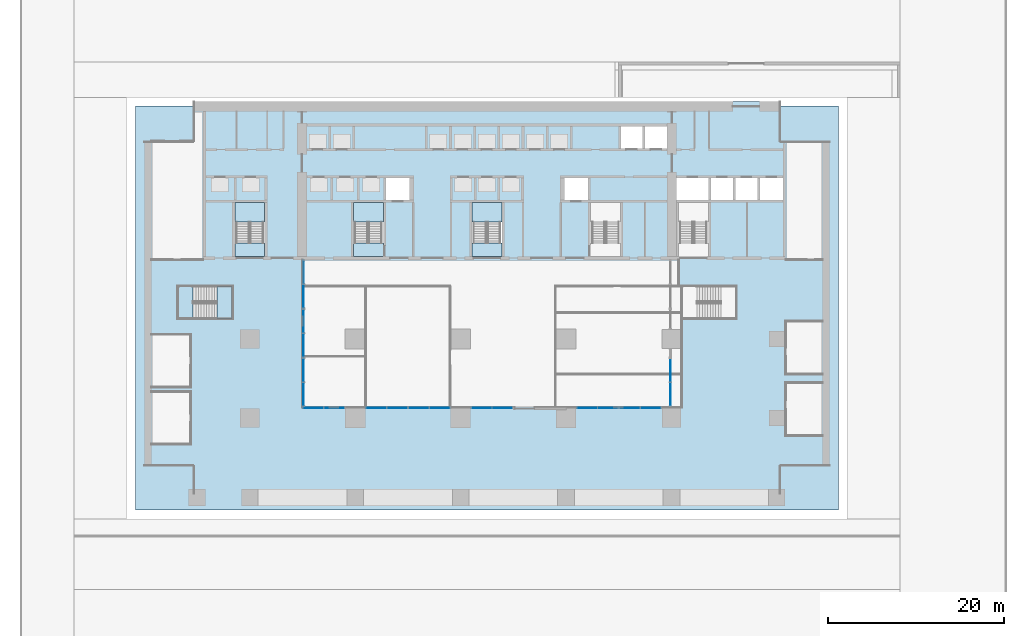
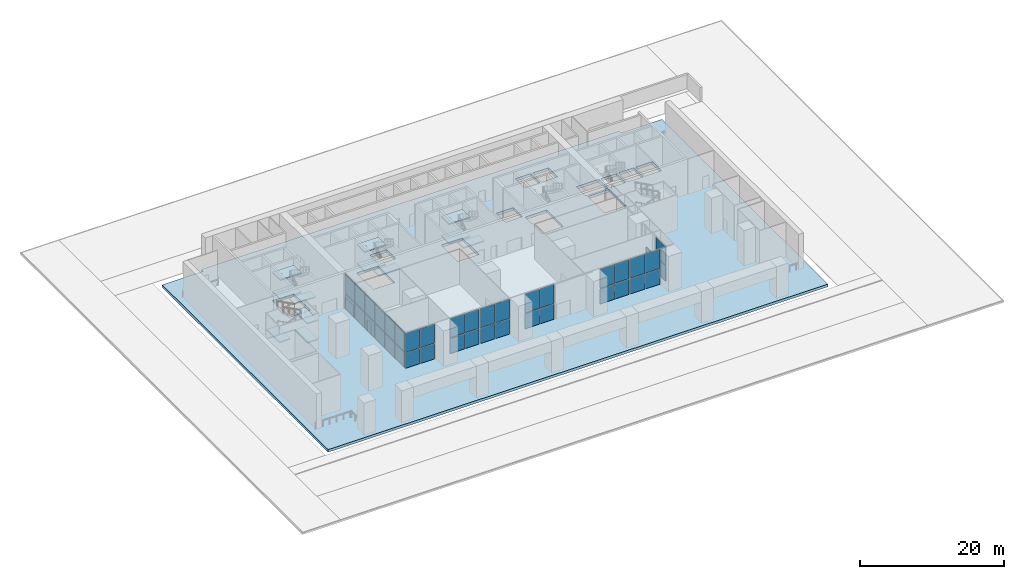
# One storey, part 4 of 16: 39 plates, 13 slabs, 14 elements without a shape of their own.
"""IFC4 building model written with IfcOpenShell, lengths in metres."""

from ifc_helpers import new_model, si_unit, direction, frame, origin, origin_2d, place, context, subcontext, project, spatial, polyline, rectangle, outline, extrude, material, layer, layer_set, type_object, element, aggregate, save


model = new_model("IFC4")

# Units and contexts
model_context = context("Model", 3, precision=1e-05, world=origin(), true_north=direction((0.0, 1.0)))
body_context = subcontext(model_context, "Body", "Model", "MODEL_VIEW")
ifc_project = project(units=[si_unit("LENGTHUNIT", "METRE"), si_unit("AREAUNIT", "SQUARE_METRE"), si_unit("VOLUMEUNIT", "CUBIC_METRE"), si_unit("PLANEANGLEUNIT", "RADIAN"), si_unit("MASSUNIT", "GRAM", prefix="KILO")], contexts=[model_context])

# Site, building, storey
site_placement = place(None, origin())
site = spatial("IfcSite", under=ifc_project, at=site_placement, CompositionType="ELEMENT")
building_placement = place(site_placement, origin())
building = spatial("IfcBuilding", under=site, at=building_placement, Name="Calvaro Tower", CompositionType="ELEMENT")
storey_placement = place(building_placement, origin())
storey = spatial("IfcBuildingStorey", under=building, at=storey_placement, Name="L00", CompositionType="ELEMENT", Elevation=0.0)

# Slab
ifc_material_1 = material(Name="Concrete C40/50", Category="concrete")
ifc_layer_1 = layer(ifc_material_1, 0.449951171875)
ifc_layer_set_1 = layer_set([ifc_layer_1], Name="Concrete C40/50")
slab_type_1 = type_object("IfcSlabType", Name="Floor slab 450 C40/50", PredefinedType="FLOOR", material=ifc_layer_set_1)
slab_1_placement = place(storey_placement, frame((0.0, 0.0, -0.449951171875)))
element("IfcSlab", 1, at=slab_1_placement, inside=storey, type_object=slab_type_1, Name="Floor slab", PredefinedType="FLOOR", context=body_context, shape_type="SweptSolid", body=[
    extrude(outline(polyline([(79.0, 45.5), (79.0, -0.5), (-1.0, -0.5), (-1.0, 45.5), (5.550048828125, 45.5), (5.550048828125, 46.0), (72.449951171875, 46.0), (72.449951171875, 45.5), (79.0, 45.5)]), holes=[polyline([(10.300048828125, 29.909912109375), (10.300048828125, 34.5), (12.0, 34.5), (13.699951171875, 34.5), (13.699951171875, 29.909912109375), (12.0, 29.909912109375), (10.300048828125, 29.909912109375)]), polyline([(23.800048828125, 29.909912109375), (23.800048828125, 34.5), (25.5, 34.5), (27.199951171875, 34.5), (27.199951171875, 29.909912109375), (25.5, 29.909912109375), (23.800048828125, 29.909912109375)]), polyline([(37.300048828125, 29.909912109375), (37.300048828125, 34.5), (39.0, 34.5), (40.699951171875, 34.5), (40.699951171875, 29.909912109375), (39.0, 29.909912109375), (37.300048828125, 29.909912109375)]), polyline([(50.800048828125, 29.909912109375), (50.800048828125, 34.5), (52.5, 34.5), (54.199951171875, 34.5), (54.199951171875, 29.909912109375), (52.5, 29.909912109375), (50.800048828125, 29.909912109375)]), polyline([(60.800048828125, 29.909912109375), (60.800048828125, 34.5), (62.5, 34.5), (64.199951171875, 34.5), (64.199951171875, 29.909912109375), (62.5, 29.909912109375), (60.800048828125, 29.909912109375)]), polyline([(54.25, 40.699951171875), (56.699951171875, 40.699951171875), (56.699951171875, 43.199951171875), (54.25, 43.199951171875), (54.25, 40.699951171875)]), polyline([(57.0, 40.699951171875), (59.5, 40.699951171875), (59.5, 43.199951171875), (57.0, 43.199951171875), (57.0, 40.699951171875)]), polyline([(60.60009765625, 34.800048828125), (64.199951171875, 34.800048828125), (64.199951171875, 37.300048828125), (60.60009765625, 37.300048828125), (60.60009765625, 34.800048828125)]), polyline([(64.5, 34.800048828125), (67.0, 34.800048828125), (67.0, 37.300048828125), (64.5, 37.300048828125), (64.5, 34.800048828125)]), polyline([(67.300048828125, 34.800048828125), (69.800048828125, 34.800048828125), (69.800048828125, 37.300048828125), (67.300048828125, 37.300048828125), (67.300048828125, 34.800048828125)]), polyline([(70.10009765625, 34.800048828125), (72.699951171875, 34.800048828125), (72.699951171875, 37.300048828125), (70.10009765625, 37.300048828125), (70.10009765625, 34.800048828125)]), polyline([(27.5, 34.800048828125), (30.199951171875, 34.800048828125), (30.199951171875, 37.300048828125), (27.5, 37.300048828125), (27.5, 34.800048828125)]), polyline([(47.800048828125, 34.800048828125), (50.5, 34.800048828125), (50.5, 37.300048828125), (47.800048828125, 37.300048828125), (47.800048828125, 34.800048828125)])]), origin(), (0.0, 0.0, 1.0), 0.449951171875),
])

# Curtain wall, plates
ifc_material_2 = material(Name="Anodised aluminium", Category="aluminium")
curtain_wall_type = type_object("IfcCurtainWallType", Name="Lobby pavilion glazing", PredefinedType="NOTDEFINED", material=ifc_material_2)
curtain_wall_1_placement = place(storey_placement, origin())
curtain_wall_1 = element("IfcCurtainWall", 2, at=curtain_wall_1_placement, inside=storey, type_object=curtain_wall_type, Name="CW7 lobby glazing", PredefinedType="NOTDEFINED")
ifc_material_3 = material(Name="Glass", Category="glass")
ifc_layer_2 = layer(ifc_material_3, 0.052001953125)
ifc_layer_set_2 = layer_set([ifc_layer_2], Name="Glass")
plate_type = type_object("IfcPlateType", Name="Glass panel LP 52", PredefinedType="CURTAIN_PANEL", material=ifc_layer_set_2)
plate_1_placement = place(storey_placement, frame((19.237548828125, 11.14990234375, 0.0), z_axis=(0.0, 0.0, 1.0), x_axis=(1.0, 0.0, 0.0)))
plate_1 = element("IfcPlate", 3, at=plate_1_placement, type_object=plate_type, Name="CW7 glass panel 1.1", PredefinedType="CURTAIN_PANEL", context=body_context, shape_type="SweptSolid", body=[
    extrude(rectangle(XDim=2.27490234375, YDim=0.052001953125, at=origin_2d()), origin(), (0.0, 0.0, 1.0), 2.530029296875),
])
plate_2_placement = place(storey_placement, frame((19.237548828125, 11.14990234375, 2.669921875), z_axis=(0.0, 0.0, 1.0), x_axis=(1.0, 0.0, 0.0)))
plate_2 = element("IfcPlate", 4, at=plate_2_placement, type_object=plate_type, Name="CW7 glass panel 1.2", PredefinedType="CURTAIN_PANEL", context=body_context, shape_type="SweptSolid", body=[
    extrude(rectangle(XDim=2.27490234375, YDim=0.052001953125, at=origin_2d()), origin(), (0.0, 0.0, 1.0), 3.18994140625),
])
plate_3_placement = place(storey_placement, frame((21.612548828125, 11.14990234375, 0.0), z_axis=(0.0, 0.0, 1.0), x_axis=(1.0, 0.0, 0.0)))
plate_3 = element("IfcPlate", 5, at=plate_3_placement, type_object=plate_type, Name="CW7 glass panel 2.1", PredefinedType="CURTAIN_PANEL", context=body_context, shape_type="SweptSolid", body=[
    extrude(rectangle(XDim=2.27490234375, YDim=0.052001953125, at=origin_2d()), origin(), (0.0, 0.0, 1.0), 2.530029296875),
])
plate_4_placement = place(storey_placement, frame((21.612548828125, 11.14990234375, 2.669921875), z_axis=(0.0, 0.0, 1.0), x_axis=(1.0, 0.0, 0.0)))
plate_4 = element("IfcPlate", 6, at=plate_4_placement, type_object=plate_type, Name="CW7 glass panel 2.2", PredefinedType="CURTAIN_PANEL", context=body_context, shape_type="SweptSolid", body=[
    extrude(rectangle(XDim=2.27490234375, YDim=0.052001953125, at=origin_2d()), origin(), (0.0, 0.0, 1.0), 3.18994140625),
])
aggregate(curtain_wall_1, [plate_1, plate_2, plate_3, plate_4])

curtain_wall_2_placement = place(storey_placement, origin())
curtain_wall_2 = element("IfcCurtainWall", 7, at=curtain_wall_2_placement, inside=storey, type_object=curtain_wall_type, Name="CW7 lobby glazing", PredefinedType="NOTDEFINED")
plate_5_placement = place(storey_placement, frame((26.387451171875, 11.14990234375, 0.0), z_axis=(0.0, 0.0, 1.0), x_axis=(1.0, 0.0, 0.0)))
plate_5 = element("IfcPlate", 8, at=plate_5_placement, type_object=plate_type, Name="CW7 glass panel 1.1", PredefinedType="CURTAIN_PANEL", context=body_context, shape_type="SweptSolid", body=[
    extrude(rectangle(XDim=2.27490234375, YDim=0.052001953125, at=origin_2d()), origin(), (0.0, 0.0, 1.0), 2.530029296875),
])
plate_6_placement = place(storey_placement, frame((26.387451171875, 11.14990234375, 2.669921875), z_axis=(0.0, 0.0, 1.0), x_axis=(1.0, 0.0, 0.0)))
plate_6 = element("IfcPlate", 9, at=plate_6_placement, type_object=plate_type, Name="CW7 glass panel 1.2", PredefinedType="CURTAIN_PANEL", context=body_context, shape_type="SweptSolid", body=[
    extrude(rectangle(XDim=2.27490234375, YDim=0.052001953125, at=origin_2d()), origin(), (0.0, 0.0, 1.0), 3.18994140625),
])
plate_7_placement = place(storey_placement, frame((28.762451171875, 11.14990234375, 0.0), z_axis=(0.0, 0.0, 1.0), x_axis=(1.0, 0.0, 0.0)))
plate_7 = element("IfcPlate", 10, at=plate_7_placement, type_object=plate_type, Name="CW7 glass panel 2.1", PredefinedType="CURTAIN_PANEL", context=body_context, shape_type="SweptSolid", body=[
    extrude(rectangle(XDim=2.27490234375, YDim=0.052001953125, at=origin_2d()), origin(), (0.0, 0.0, 1.0), 2.530029296875),
])
plate_8_placement = place(storey_placement, frame((28.762451171875, 11.14990234375, 2.669921875), z_axis=(0.0, 0.0, 1.0), x_axis=(1.0, 0.0, 0.0)))
plate_8 = element("IfcPlate", 11, at=plate_8_placement, type_object=plate_type, Name="CW7 glass panel 2.2", PredefinedType="CURTAIN_PANEL", context=body_context, shape_type="SweptSolid", body=[
    extrude(rectangle(XDim=2.27490234375, YDim=0.052001953125, at=origin_2d()), origin(), (0.0, 0.0, 1.0), 3.18994140625),
])
aggregate(curtain_wall_2, [plate_5, plate_6, plate_7, plate_8])

curtain_wall_3_placement = place(storey_placement, origin())
curtain_wall_3 = element("IfcCurtainWall", 12, at=curtain_wall_3_placement, inside=storey, type_object=curtain_wall_type, Name="CW7 lobby glazing", PredefinedType="NOTDEFINED")
plate_9_placement = place(storey_placement, frame((31.237548828125, 11.14990234375, 0.0), z_axis=(0.0, 0.0, 1.0), x_axis=(1.0, 0.0, 0.0)))
plate_9 = element("IfcPlate", 13, at=plate_9_placement, type_object=plate_type, Name="CW7 glass panel 1.1", PredefinedType="CURTAIN_PANEL", context=body_context, shape_type="SweptSolid", body=[
    extrude(rectangle(XDim=2.27490234375, YDim=0.052001953125, at=origin_2d()), origin(), (0.0, 0.0, 1.0), 2.530029296875),
])
plate_10_placement = place(storey_placement, frame((31.237548828125, 11.14990234375, 2.669921875), z_axis=(0.0, 0.0, 1.0), x_axis=(1.0, 0.0, 0.0)))
plate_10 = element("IfcPlate", 14, at=plate_10_placement, type_object=plate_type, Name="CW7 glass panel 1.2", PredefinedType="CURTAIN_PANEL", context=body_context, shape_type="SweptSolid", body=[
    extrude(rectangle(XDim=2.27490234375, YDim=0.052001953125, at=origin_2d()), origin(), (0.0, 0.0, 1.0), 3.18994140625),
])
plate_11_placement = place(storey_placement, frame((33.612548828125, 11.14990234375, 0.0), z_axis=(0.0, 0.0, 1.0), x_axis=(1.0, 0.0, 0.0)))
plate_11 = element("IfcPlate", 15, at=plate_11_placement, type_object=plate_type, Name="CW7 glass panel 2.1", PredefinedType="CURTAIN_PANEL", context=body_context, shape_type="SweptSolid", body=[
    extrude(rectangle(XDim=2.27490234375, YDim=0.052001953125, at=origin_2d()), origin(), (0.0, 0.0, 1.0), 2.530029296875),
])
plate_12_placement = place(storey_placement, frame((33.612548828125, 11.14990234375, 2.669921875), z_axis=(0.0, 0.0, 1.0), x_axis=(1.0, 0.0, 0.0)))
plate_12 = element("IfcPlate", 16, at=plate_12_placement, type_object=plate_type, Name="CW7 glass panel 2.2", PredefinedType="CURTAIN_PANEL", context=body_context, shape_type="SweptSolid", body=[
    extrude(rectangle(XDim=2.27490234375, YDim=0.052001953125, at=origin_2d()), origin(), (0.0, 0.0, 1.0), 3.18994140625),
])
aggregate(curtain_wall_3, [plate_9, plate_10, plate_11, plate_12])

curtain_wall_4_placement = place(storey_placement, origin())
curtain_wall_4 = element("IfcCurtainWall", 17, at=curtain_wall_4_placement, inside=storey, type_object=curtain_wall_type, Name="CW7 lobby glazing", PredefinedType="NOTDEFINED")
plate_13_placement = place(storey_placement, frame((38.387451171875, 11.14990234375, 0.0), z_axis=(0.0, 0.0, 1.0), x_axis=(1.0, 0.0, 0.0)))
plate_13 = element("IfcPlate", 18, at=plate_13_placement, type_object=plate_type, Name="CW7 glass panel 1.1", PredefinedType="CURTAIN_PANEL", context=body_context, shape_type="SweptSolid", body=[
    extrude(rectangle(XDim=2.27490234375, YDim=0.052001953125, at=origin_2d()), origin(), (0.0, 0.0, 1.0), 2.530029296875),
])
plate_14_placement = place(storey_placement, frame((38.387451171875, 11.14990234375, 2.669921875), z_axis=(0.0, 0.0, 1.0), x_axis=(1.0, 0.0, 0.0)))
plate_14 = element("IfcPlate", 19, at=plate_14_placement, type_object=plate_type, Name="CW7 glass panel 1.2", PredefinedType="CURTAIN_PANEL", context=body_context, shape_type="SweptSolid", body=[
    extrude(rectangle(XDim=2.27490234375, YDim=0.052001953125, at=origin_2d()), origin(), (0.0, 0.0, 1.0), 3.18994140625),
])
plate_15_placement = place(storey_placement, frame((40.762451171875, 11.14990234375, 0.0), z_axis=(0.0, 0.0, 1.0), x_axis=(1.0, 0.0, 0.0)))
plate_15 = element("IfcPlate", 20, at=plate_15_placement, type_object=plate_type, Name="CW7 glass panel 2.1", PredefinedType="CURTAIN_PANEL", context=body_context, shape_type="SweptSolid", body=[
    extrude(rectangle(XDim=2.27490234375, YDim=0.052001953125, at=origin_2d()), origin(), (0.0, 0.0, 1.0), 2.530029296875),
])
plate_16_placement = place(storey_placement, frame((40.762451171875, 11.14990234375, 2.669921875), z_axis=(0.0, 0.0, 1.0), x_axis=(1.0, 0.0, 0.0)))
plate_16 = element("IfcPlate", 21, at=plate_16_placement, type_object=plate_type, Name="CW7 glass panel 2.2", PredefinedType="CURTAIN_PANEL", context=body_context, shape_type="SweptSolid", body=[
    extrude(rectangle(XDim=2.27490234375, YDim=0.052001953125, at=origin_2d()), origin(), (0.0, 0.0, 1.0), 3.18994140625),
])
aggregate(curtain_wall_4, [plate_13, plate_14, plate_15, plate_16])

curtain_wall_5_placement = place(storey_placement, origin())
curtain_wall_5 = element("IfcCurtainWall", 22, at=curtain_wall_5_placement, inside=storey, type_object=curtain_wall_type, Name="CW7 lobby glazing", PredefinedType="NOTDEFINED")
plate_17_placement = place(storey_placement, frame((50.387451171875, 11.14990234375, 0.0), z_axis=(0.0, 0.0, 1.0), x_axis=(1.0, 0.0, 0.0)))
plate_17 = element("IfcPlate", 23, at=plate_17_placement, type_object=plate_type, Name="CW7 glass panel 1.1", PredefinedType="CURTAIN_PANEL", context=body_context, shape_type="SweptSolid", body=[
    extrude(rectangle(XDim=2.27490234375, YDim=0.052001953125, at=origin_2d()), origin(), (0.0, 0.0, 1.0), 2.530029296875),
])
plate_18_placement = place(storey_placement, frame((50.387451171875, 11.14990234375, 2.669921875), z_axis=(0.0, 0.0, 1.0), x_axis=(1.0, 0.0, 0.0)))
plate_18 = element("IfcPlate", 24, at=plate_18_placement, type_object=plate_type, Name="CW7 glass panel 1.2", PredefinedType="CURTAIN_PANEL", context=body_context, shape_type="SweptSolid", body=[
    extrude(rectangle(XDim=2.27490234375, YDim=0.052001953125, at=origin_2d()), origin(), (0.0, 0.0, 1.0), 3.18994140625),
])
plate_19_placement = place(storey_placement, frame((52.762451171875, 11.14990234375, 0.0), z_axis=(0.0, 0.0, 1.0), x_axis=(1.0, 0.0, 0.0)))
plate_19 = element("IfcPlate", 25, at=plate_19_placement, type_object=plate_type, Name="CW7 glass panel 2.1", PredefinedType="CURTAIN_PANEL", context=body_context, shape_type="SweptSolid", body=[
    extrude(rectangle(XDim=2.27490234375, YDim=0.052001953125, at=origin_2d()), origin(), (0.0, 0.0, 1.0), 2.530029296875),
])
plate_20_placement = place(storey_placement, frame((52.762451171875, 11.14990234375, 2.669921875), z_axis=(0.0, 0.0, 1.0), x_axis=(1.0, 0.0, 0.0)))
plate_20 = element("IfcPlate", 26, at=plate_20_placement, type_object=plate_type, Name="CW7 glass panel 2.2", PredefinedType="CURTAIN_PANEL", context=body_context, shape_type="SweptSolid", body=[
    extrude(rectangle(XDim=2.27490234375, YDim=0.052001953125, at=origin_2d()), origin(), (0.0, 0.0, 1.0), 3.18994140625),
])
aggregate(curtain_wall_5, [plate_17, plate_18, plate_19, plate_20])

curtain_wall_6_placement = place(storey_placement, origin())
curtain_wall_6 = element("IfcCurtainWall", 27, at=curtain_wall_6_placement, inside=storey, type_object=curtain_wall_type, Name="CW7 lobby glazing", PredefinedType="NOTDEFINED")
plate_21_placement = place(storey_placement, frame((55.25, 11.14990234375, 0.0), z_axis=(0.0, 0.0, 1.0), x_axis=(1.0, 0.0, 0.0)))
plate_21 = element("IfcPlate", 28, at=plate_21_placement, type_object=plate_type, Name="CW7 glass panel 1.1", PredefinedType="CURTAIN_PANEL", context=body_context, shape_type="SweptSolid", body=[
    extrude(rectangle(XDim=2.300048828125, YDim=0.052001953125, at=origin_2d()), origin(), (0.0, 0.0, 1.0), 2.530029296875),
])
plate_22_placement = place(storey_placement, frame((55.25, 11.14990234375, 2.669921875), z_axis=(0.0, 0.0, 1.0), x_axis=(1.0, 0.0, 0.0)))
plate_22 = element("IfcPlate", 29, at=plate_22_placement, type_object=plate_type, Name="CW7 glass panel 1.2", PredefinedType="CURTAIN_PANEL", context=body_context, shape_type="SweptSolid", body=[
    extrude(rectangle(XDim=2.300048828125, YDim=0.052001953125, at=origin_2d()), origin(), (0.0, 0.0, 1.0), 3.18994140625),
])
plate_23_placement = place(storey_placement, frame((57.64990234375, 11.14990234375, 0.0), z_axis=(0.0, 0.0, 1.0), x_axis=(1.0, 0.0, 0.0)))
plate_23 = element("IfcPlate", 30, at=plate_23_placement, type_object=plate_type, Name="CW7 glass panel 2.1", PredefinedType="CURTAIN_PANEL", context=body_context, shape_type="SweptSolid", body=[
    extrude(rectangle(XDim=2.300048828125, YDim=0.052001953125, at=origin_2d()), origin(), (0.0, 0.0, 1.0), 2.530029296875),
])
plate_24_placement = place(storey_placement, frame((57.64990234375, 11.14990234375, 2.669921875), z_axis=(0.0, 0.0, 1.0), x_axis=(1.0, 0.0, 0.0)))
plate_24 = element("IfcPlate", 31, at=plate_24_placement, type_object=plate_type, Name="CW7 glass panel 2.2", PredefinedType="CURTAIN_PANEL", context=body_context, shape_type="SweptSolid", body=[
    extrude(rectangle(XDim=2.300048828125, YDim=0.052001953125, at=origin_2d()), origin(), (0.0, 0.0, 1.0), 3.18994140625),
])
aggregate(curtain_wall_6, [plate_21, plate_22, plate_23, plate_24])

curtain_wall_7_placement = place(storey_placement, origin())
curtain_wall_7 = element("IfcCurtainWall", 32, at=curtain_wall_7_placement, inside=storey, type_object=curtain_wall_type, Name="CW7 lobby glazing", PredefinedType="NOTDEFINED")
plate_25_placement = place(storey_placement, frame((18.125, 12.69384765625, 0.0), z_axis=(0.0, 0.0, 1.0), x_axis=(0.0, 1.0, 0.0)))
plate_25 = element("IfcPlate", 33, at=plate_25_placement, type_object=plate_type, Name="CW7 glass panel 1.1", PredefinedType="CURTAIN_PANEL", context=body_context, shape_type="SweptSolid", body=[
    extrude(rectangle(XDim=2.637451171875, YDim=0.052001953125, at=origin_2d()), origin(), (0.0, 0.0, 1.0), 2.530029296875),
])
plate_26_placement = place(storey_placement, frame((18.125, 12.69384765625, 2.669921875), z_axis=(0.0, 0.0, 1.0), x_axis=(0.0, 1.0, 0.0)))
plate_26 = element("IfcPlate", 34, at=plate_26_placement, type_object=plate_type, Name="CW7 glass panel 1.2", PredefinedType="CURTAIN_PANEL", context=body_context, shape_type="SweptSolid", body=[
    extrude(rectangle(XDim=2.637451171875, YDim=0.052001953125, at=origin_2d()), origin(), (0.0, 0.0, 1.0), 3.18994140625),
])
plate_27_placement = place(storey_placement, frame((18.125, 15.43115234375, 0.0), z_axis=(0.0, 0.0, 1.0), x_axis=(0.0, 1.0, 0.0)))
plate_27 = element("IfcPlate", 35, at=plate_27_placement, type_object=plate_type, Name="CW7 glass panel 2.1", PredefinedType="CURTAIN_PANEL", context=body_context, shape_type="SweptSolid", body=[
    extrude(rectangle(XDim=2.637451171875, YDim=0.052001953125, at=origin_2d()), origin(), (0.0, 0.0, 1.0), 2.530029296875),
])
plate_28_placement = place(storey_placement, frame((18.125, 15.43115234375, 2.669921875), z_axis=(0.0, 0.0, 1.0), x_axis=(0.0, 1.0, 0.0)))
plate_28 = element("IfcPlate", 36, at=plate_28_placement, type_object=plate_type, Name="CW7 glass panel 2.2", PredefinedType="CURTAIN_PANEL", context=body_context, shape_type="SweptSolid", body=[
    extrude(rectangle(XDim=2.637451171875, YDim=0.052001953125, at=origin_2d()), origin(), (0.0, 0.0, 1.0), 3.18994140625),
])
aggregate(curtain_wall_7, [plate_25, plate_26, plate_27, plate_28])

curtain_wall_8_placement = place(storey_placement, origin())
curtain_wall_8 = element("IfcCurtainWall", 37, at=curtain_wall_8_placement, inside=storey, type_object=curtain_wall_type, Name="CW7 lobby glazing", PredefinedType="NOTDEFINED")
plate_29_placement = place(storey_placement, frame((18.125, 18.268798828125, 0.0), z_axis=(0.0, 0.0, 1.0), x_axis=(0.0, 1.0, 0.0)))
plate_29 = element("IfcPlate", 38, at=plate_29_placement, type_object=plate_type, Name="CW7 glass panel 1.1", PredefinedType="CURTAIN_PANEL", context=body_context, shape_type="SweptSolid", body=[
    extrude(rectangle(XDim=2.637451171875, YDim=0.052001953125, at=origin_2d()), origin(), (0.0, 0.0, 1.0), 2.530029296875),
])
plate_30_placement = place(storey_placement, frame((18.125, 18.268798828125, 2.669921875), z_axis=(0.0, 0.0, 1.0), x_axis=(0.0, 1.0, 0.0)))
plate_30 = element("IfcPlate", 39, at=plate_30_placement, type_object=plate_type, Name="CW7 glass panel 1.2", PredefinedType="CURTAIN_PANEL", context=body_context, shape_type="SweptSolid", body=[
    extrude(rectangle(XDim=2.637451171875, YDim=0.052001953125, at=origin_2d()), origin(), (0.0, 0.0, 1.0), 3.18994140625),
])
plate_31_placement = place(storey_placement, frame((18.125, 21.00634765625, 0.0), z_axis=(0.0, 0.0, 1.0), x_axis=(0.0, 1.0, 0.0)))
plate_31 = element("IfcPlate", 40, at=plate_31_placement, type_object=plate_type, Name="CW7 glass panel 2.1", PredefinedType="CURTAIN_PANEL", context=body_context, shape_type="SweptSolid", body=[
    extrude(rectangle(XDim=2.637451171875, YDim=0.052001953125, at=origin_2d()), origin(), (0.0, 0.0, 1.0), 2.530029296875),
])
plate_32_placement = place(storey_placement, frame((18.125, 21.00634765625, 2.669921875), z_axis=(0.0, 0.0, 1.0), x_axis=(0.0, 1.0, 0.0)))
plate_32 = element("IfcPlate", 41, at=plate_32_placement, type_object=plate_type, Name="CW7 glass panel 2.2", PredefinedType="CURTAIN_PANEL", context=body_context, shape_type="SweptSolid", body=[
    extrude(rectangle(XDim=2.637451171875, YDim=0.052001953125, at=origin_2d()), origin(), (0.0, 0.0, 1.0), 3.18994140625),
])
aggregate(curtain_wall_8, [plate_29, plate_30, plate_31, plate_32])

curtain_wall_9_placement = place(storey_placement, origin())
curtain_wall_9 = element("IfcCurtainWall", 42, at=curtain_wall_9_placement, inside=storey, type_object=curtain_wall_type, Name="CW7 lobby glazing", PredefinedType="NOTDEFINED")
plate_33_placement = place(storey_placement, frame((18.125, 23.84375, 0.0), z_axis=(0.0, 0.0, 1.0), x_axis=(0.0, 1.0, 0.0)))
plate_33 = element("IfcPlate", 43, at=plate_33_placement, type_object=plate_type, Name="CW7 glass panel 1.1", PredefinedType="CURTAIN_PANEL", context=body_context, shape_type="SweptSolid", body=[
    extrude(rectangle(XDim=2.637451171875, YDim=0.052001953125, at=origin_2d()), origin(), (0.0, 0.0, 1.0), 2.530029296875),
])
plate_34_placement = place(storey_placement, frame((18.125, 23.84375, 2.669921875), z_axis=(0.0, 0.0, 1.0), x_axis=(0.0, 1.0, 0.0)))
plate_34 = element("IfcPlate", 44, at=plate_34_placement, type_object=plate_type, Name="CW7 glass panel 1.2", PredefinedType="CURTAIN_PANEL", context=body_context, shape_type="SweptSolid", body=[
    extrude(rectangle(XDim=2.637451171875, YDim=0.052001953125, at=origin_2d()), origin(), (0.0, 0.0, 1.0), 3.18994140625),
])
plate_35_placement = place(storey_placement, frame((18.125, 26.581298828125, 0.0), z_axis=(0.0, 0.0, 1.0), x_axis=(0.0, 1.0, 0.0)))
plate_35 = element("IfcPlate", 45, at=plate_35_placement, type_object=plate_type, Name="CW7 glass panel 2.1", PredefinedType="CURTAIN_PANEL", context=body_context, shape_type="SweptSolid", body=[
    extrude(rectangle(XDim=2.637451171875, YDim=0.052001953125, at=origin_2d()), origin(), (0.0, 0.0, 1.0), 2.530029296875),
])
plate_36_placement = place(storey_placement, frame((18.125, 26.581298828125, 2.669921875), z_axis=(0.0, 0.0, 1.0), x_axis=(0.0, 1.0, 0.0)))
plate_36 = element("IfcPlate", 46, at=plate_36_placement, type_object=plate_type, Name="CW7 glass panel 2.2", PredefinedType="CURTAIN_PANEL", context=body_context, shape_type="SweptSolid", body=[
    extrude(rectangle(XDim=2.637451171875, YDim=0.052001953125, at=origin_2d()), origin(), (0.0, 0.0, 1.0), 3.18994140625),
])
aggregate(curtain_wall_9, [plate_33, plate_34, plate_35, plate_36])

curtain_wall_10_placement = place(storey_placement, origin())
curtain_wall_10 = element("IfcCurtainWall", 47, at=curtain_wall_10_placement, inside=storey, type_object=curtain_wall_type, Name="CW7 lobby glazing", PredefinedType="NOTDEFINED")
plate_37_placement = place(storey_placement, frame((59.875, 12.69384765625, 0.0), z_axis=(0.0, 0.0, 1.0), x_axis=(0.0, 1.0, 0.0)))
plate_37 = element("IfcPlate", 48, at=plate_37_placement, type_object=plate_type, Name="CW7 glass panel 1.1", PredefinedType="CURTAIN_PANEL", context=body_context, shape_type="SweptSolid", body=[
    extrude(rectangle(XDim=2.637451171875, YDim=0.052001953125, at=origin_2d()), origin(), (0.0, 0.0, 1.0), 2.530029296875),
])
plate_38_placement = place(storey_placement, frame((59.875, 12.69384765625, 2.669921875), z_axis=(0.0, 0.0, 1.0), x_axis=(0.0, 1.0, 0.0)))
plate_38 = element("IfcPlate", 49, at=plate_38_placement, type_object=plate_type, Name="CW7 glass panel 1.2", PredefinedType="CURTAIN_PANEL", context=body_context, shape_type="SweptSolid", body=[
    extrude(rectangle(XDim=2.637451171875, YDim=0.052001953125, at=origin_2d()), origin(), (0.0, 0.0, 1.0), 3.18994140625),
])
plate_39_placement = place(storey_placement, frame((59.875, 15.43115234375, 0.0), z_axis=(0.0, 0.0, 1.0), x_axis=(0.0, 1.0, 0.0)))
plate_39 = element("IfcPlate", 50, at=plate_39_placement, type_object=plate_type, Name="CW7 glass panel 2.1", PredefinedType="CURTAIN_PANEL", context=body_context, shape_type="SweptSolid", body=[
    extrude(rectangle(XDim=2.637451171875, YDim=0.052001953125, at=origin_2d()), origin(), (0.0, 0.0, 1.0), 2.530029296875),
])
aggregate(curtain_wall_10, [plate_37, plate_38, plate_39])

# Stair, slabs
ifc_material_4 = material(Name="Concrete C40/50", Category="concrete")
stair_type_1 = type_object("IfcStairType", Name="Exit stair 1400 4 flights", PredefinedType="DOUBLE_RETURN_STAIR", material=ifc_material_4)
stair_1_placement = place(storey_placement, origin())
stair_1 = element("IfcStair", 51, at=stair_1_placement, inside=storey, type_object=stair_type_1, Name="Exit stair S1", PredefinedType="DOUBLE_RETURN_STAIR")
ifc_material_5 = material(Name="Concrete C40/50", Category="concrete")
ifc_layer_3 = layer(ifc_material_5, 0.199951171875)
ifc_layer_set_3 = layer_set([ifc_layer_3], Name="Concrete C40/50")
slab_type_2 = type_object("IfcSlabType", Name="Stair landing", PredefinedType="LANDING", material=ifc_layer_set_3)
slab_2_placement = place(storey_placement, frame((0.0, 0.0, 1.425048828125)))
slab_2 = element("IfcSlab", 52, at=slab_2_placement, type_object=slab_type_2, Name="Exit stair 1, landing 1", PredefinedType="LANDING", context=body_context, shape_type="SweptSolid", body=[
    extrude(outline(polyline([(11.89990234375, 32.320068359375), (10.5, 32.320068359375), (10.5, 32.330078125), (10.300048828125, 32.330078125), (10.300048828125, 34.5), (10.5, 34.5), (11.89990234375, 34.5), (12.10009765625, 34.5), (13.5, 34.5), (13.699951171875, 34.5), (13.699951171875, 32.330078125), (13.5, 32.330078125), (13.5, 32.320068359375), (12.10009765625, 32.320068359375), (12.10009765625, 32.330078125), (11.89990234375, 32.330078125), (11.89990234375, 32.320068359375)])), origin(), (0.0, 0.0, 1.0), 0.199951171875),
])
slab_3_placement = place(storey_placement, frame((0.0, 0.0, 3.050048828125)))
slab_3 = element("IfcSlab", 53, at=slab_3_placement, type_object=slab_type_2, Name="Exit stair 1, landing 2", PredefinedType="LANDING", context=body_context, shape_type="SweptSolid", body=[
    extrude(outline(polyline([(13.699951171875, 29.909912109375), (13.699951171875, 28.39990234375), (10.300048828125, 28.39990234375), (10.300048828125, 29.909912109375), (10.5, 29.909912109375), (11.89990234375, 29.909912109375), (13.699951171875, 29.909912109375)])), origin(), (0.0, 0.0, 1.0), 0.199951171875),
])
slab_4_placement = place(storey_placement, frame((0.0, 0.0, 4.675048828125)))
slab_4 = element("IfcSlab", 54, at=slab_4_placement, type_object=slab_type_2, Name="Exit stair 1, landing 3", PredefinedType="LANDING", context=body_context, shape_type="SweptSolid", body=[
    extrude(outline(polyline([(11.89990234375, 32.320068359375), (10.5, 32.320068359375), (10.5, 32.330078125), (10.300048828125, 32.330078125), (10.300048828125, 34.5), (10.5, 34.5), (11.89990234375, 34.5), (12.10009765625, 34.5), (13.5, 34.5), (13.699951171875, 34.5), (13.699951171875, 32.330078125), (13.5, 32.330078125), (13.5, 32.320068359375), (12.10009765625, 32.320068359375), (12.10009765625, 32.330078125), (11.89990234375, 32.330078125), (11.89990234375, 32.320068359375)])), origin(), (0.0, 0.0, 1.0), 0.199951171875),
])
aggregate(stair_1, [slab_2, slab_3, slab_4])

stair_2_placement = place(storey_placement, origin())
stair_2 = element("IfcStair", 55, at=stair_2_placement, inside=storey, type_object=stair_type_1, Name="Exit stair S2", PredefinedType="DOUBLE_RETURN_STAIR")
slab_5_placement = place(storey_placement, frame((0.0, 0.0, 1.425048828125)))
slab_5 = element("IfcSlab", 56, at=slab_5_placement, type_object=slab_type_2, Name="Exit stair 2, landing 1", PredefinedType="LANDING", context=body_context, shape_type="SweptSolid", body=[
    extrude(outline(polyline([(25.39990234375, 32.320068359375), (24.0, 32.320068359375), (24.0, 32.330078125), (23.800048828125, 32.330078125), (23.800048828125, 34.5), (24.0, 34.5), (25.39990234375, 34.5), (25.60009765625, 34.5), (27.0, 34.5), (27.199951171875, 34.5), (27.199951171875, 32.330078125), (27.0, 32.330078125), (27.0, 32.320068359375), (25.60009765625, 32.320068359375), (25.60009765625, 32.330078125), (25.39990234375, 32.330078125), (25.39990234375, 32.320068359375)])), origin(), (0.0, 0.0, 1.0), 0.199951171875),
])
slab_6_placement = place(storey_placement, frame((0.0, 0.0, 3.050048828125)))
slab_6 = element("IfcSlab", 57, at=slab_6_placement, type_object=slab_type_2, Name="Exit stair 2, landing 2", PredefinedType="LANDING", context=body_context, shape_type="SweptSolid", body=[
    extrude(outline(polyline([(27.199951171875, 29.909912109375), (27.199951171875, 28.39990234375), (23.800048828125, 28.39990234375), (23.800048828125, 29.909912109375), (24.0, 29.909912109375), (25.39990234375, 29.909912109375), (27.199951171875, 29.909912109375)])), origin(), (0.0, 0.0, 1.0), 0.199951171875),
])
slab_7_placement = place(storey_placement, frame((0.0, 0.0, 4.675048828125)))
slab_7 = element("IfcSlab", 58, at=slab_7_placement, type_object=slab_type_2, Name="Exit stair 2, landing 3", PredefinedType="LANDING", context=body_context, shape_type="SweptSolid", body=[
    extrude(outline(polyline([(25.39990234375, 32.320068359375), (24.0, 32.320068359375), (24.0, 32.330078125), (23.800048828125, 32.330078125), (23.800048828125, 34.5), (24.0, 34.5), (25.39990234375, 34.5), (25.60009765625, 34.5), (27.0, 34.5), (27.199951171875, 34.5), (27.199951171875, 32.330078125), (27.0, 32.330078125), (27.0, 32.320068359375), (25.60009765625, 32.320068359375), (25.60009765625, 32.330078125), (25.39990234375, 32.330078125), (25.39990234375, 32.320068359375)])), origin(), (0.0, 0.0, 1.0), 0.199951171875),
])
aggregate(stair_2, [slab_5, slab_6, slab_7])

stair_3_placement = place(storey_placement, origin())
stair_3 = element("IfcStair", 59, at=stair_3_placement, inside=storey, type_object=stair_type_1, Name="Exit stair S3", PredefinedType="DOUBLE_RETURN_STAIR")
slab_8_placement = place(storey_placement, frame((0.0, 0.0, 1.425048828125)))
slab_8 = element("IfcSlab", 60, at=slab_8_placement, type_object=slab_type_2, Name="Exit stair 3, landing 1", PredefinedType="LANDING", context=body_context, shape_type="SweptSolid", body=[
    extrude(outline(polyline([(38.89990234375, 32.320068359375), (37.5, 32.320068359375), (37.5, 32.330078125), (37.300048828125, 32.330078125), (37.300048828125, 34.5), (37.5, 34.5), (38.89990234375, 34.5), (39.10009765625, 34.5), (40.5, 34.5), (40.699951171875, 34.5), (40.699951171875, 32.330078125), (40.5, 32.330078125), (40.5, 32.320068359375), (39.10009765625, 32.320068359375), (39.10009765625, 32.330078125), (38.89990234375, 32.330078125), (38.89990234375, 32.320068359375)])), origin(), (0.0, 0.0, 1.0), 0.199951171875),
])
slab_9_placement = place(storey_placement, frame((0.0, 0.0, 3.050048828125)))
slab_9 = element("IfcSlab", 61, at=slab_9_placement, type_object=slab_type_2, Name="Exit stair 3, landing 2", PredefinedType="LANDING", context=body_context, shape_type="SweptSolid", body=[
    extrude(outline(polyline([(40.699951171875, 29.909912109375), (40.699951171875, 28.39990234375), (37.300048828125, 28.39990234375), (37.300048828125, 29.909912109375), (37.5, 29.909912109375), (38.89990234375, 29.909912109375), (40.699951171875, 29.909912109375)])), origin(), (0.0, 0.0, 1.0), 0.199951171875),
])
slab_10_placement = place(storey_placement, frame((0.0, 0.0, 4.675048828125)))
slab_10 = element("IfcSlab", 62, at=slab_10_placement, type_object=slab_type_2, Name="Exit stair 3, landing 3", PredefinedType="LANDING", context=body_context, shape_type="SweptSolid", body=[
    extrude(outline(polyline([(38.89990234375, 32.320068359375), (37.5, 32.320068359375), (37.5, 32.330078125), (37.300048828125, 32.330078125), (37.300048828125, 34.5), (37.5, 34.5), (38.89990234375, 34.5), (39.10009765625, 34.5), (40.5, 34.5), (40.699951171875, 34.5), (40.699951171875, 32.330078125), (40.5, 32.330078125), (40.5, 32.320068359375), (39.10009765625, 32.320068359375), (39.10009765625, 32.330078125), (38.89990234375, 32.330078125), (38.89990234375, 32.320068359375)])), origin(), (0.0, 0.0, 1.0), 0.199951171875),
])
aggregate(stair_3, [slab_8, slab_9, slab_10])

ifc_material_6 = material(Name="Concrete C40/50", Category="concrete")
stair_type_2 = type_object("IfcStairType", Name="Exit stair 1700 4 flights", PredefinedType="DOUBLE_RETURN_STAIR", material=ifc_material_6)
stair_4_placement = place(storey_placement, origin())
stair_4 = element("IfcStair", 63, at=stair_4_placement, inside=storey, type_object=stair_type_2, Name="Exit stair 6", PredefinedType="DOUBLE_RETURN_STAIR")
slab_11_placement = place(storey_placement, frame((0.0, 0.0, 1.425048828125)))
slab_11 = element("IfcSlab", 64, at=slab_11_placement, type_object=slab_type_2, Name="Exit stair 6, landing 1", PredefinedType="LANDING", context=body_context, shape_type="SweptSolid", body=[
    extrude(outline(polyline([(8.294921875, 23.050048828125), (8.294921875, 23.25), (8.284912109375, 23.25), (8.284912109375, 24.949951171875), (10.0, 24.949951171875), (10.0, 24.949951171875), (10.0, 23.25), (10.0, 23.050048828125), (10.0, 21.35009765625), (10.0, 21.35009765625), (8.284912109375, 21.35009765625), (8.284912109375, 23.050048828125), (8.294921875, 23.050048828125)])), origin(), (0.0, 0.0, 1.0), 0.199951171875),
])
slab_12_placement = place(storey_placement, frame((0.0, 0.0, 3.050048828125)))
slab_12 = element("IfcSlab", 65, at=slab_12_placement, type_object=slab_type_2, Name="Exit stair 6, landing 2", PredefinedType="LANDING", context=body_context, shape_type="SweptSolid", body=[
    extrude(outline(polyline([(5.56005859375, 23.050048828125), (5.56005859375, 21.35009765625), (5.56005859375, 21.35009765625), (5.550048828125, 21.35009765625), (5.550048828125, 21.35009765625), (3.85009765625, 21.35009765625), (3.85009765625, 24.949951171875), (5.56005859375, 24.949951171875), (5.56005859375, 23.050048828125)])), origin(), (0.0, 0.0, 1.0), 0.199951171875),
])
slab_13_placement = place(storey_placement, frame((0.0, 0.0, 4.675048828125)))
slab_13 = element("IfcSlab", 66, at=slab_13_placement, type_object=slab_type_2, Name="Exit stair 6, landing 3", PredefinedType="LANDING", context=body_context, shape_type="SweptSolid", body=[
    extrude(outline(polyline([(8.294921875, 23.050048828125), (8.294921875, 23.25), (8.284912109375, 23.25), (8.284912109375, 24.949951171875), (10.0, 24.949951171875), (10.0, 24.949951171875), (10.0, 23.25), (10.0, 23.050048828125), (10.0, 21.35009765625), (10.0, 21.35009765625), (8.284912109375, 21.35009765625), (8.284912109375, 23.050048828125), (8.294921875, 23.050048828125)])), origin(), (0.0, 0.0, 1.0), 0.199951171875),
])
aggregate(stair_4, [slab_11, slab_12, slab_13])

save(model, "model.ifc")
